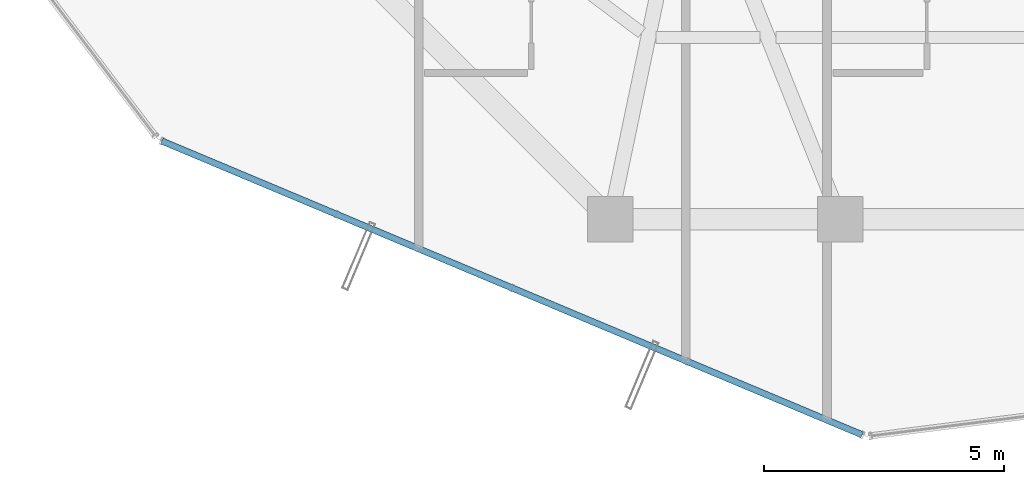
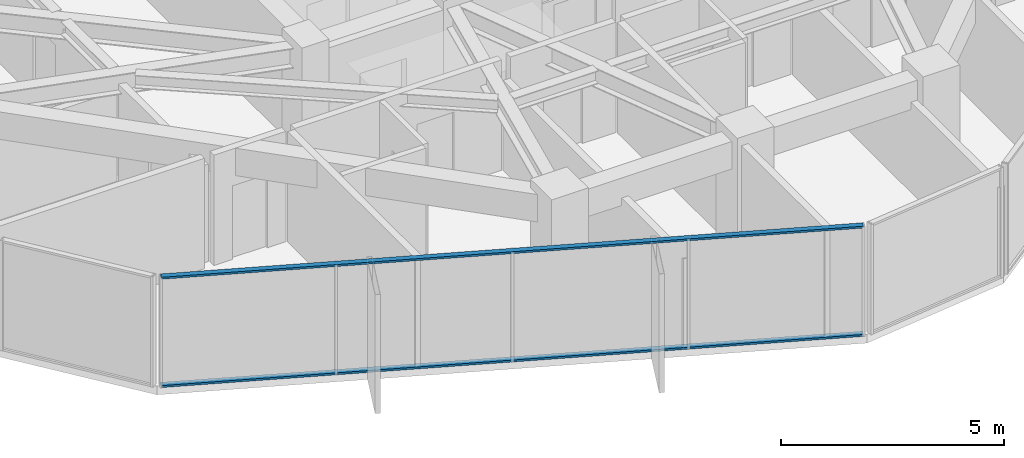
# One storey, part 3 of 32: 2 members, 1 element without a shape of its own.
"""IFC4 building model written with IfcOpenShell, lengths in metres."""

from ifc_helpers import new_model, si_unit, direction, frame, origin, origin_2d, place, context, subcontext, project, spatial, hollow_rectangle, extrude, source, transform, mapped, material, layer, layer_set, material_profile, profile_set, type_object, element, aggregate, save


model = new_model("IFC4")

# Units and contexts
model_context = context("Model", 3, precision=1e-05, world=origin(), true_north=direction((0.0, 1.0)))
body_context = subcontext(model_context, "Body", "Model", "MODEL_VIEW")
ifc_project = project(units=[si_unit("LENGTHUNIT", "METRE"), si_unit("AREAUNIT", "SQUARE_METRE"), si_unit("VOLUMEUNIT", "CUBIC_METRE"), si_unit("PLANEANGLEUNIT", "RADIAN"), si_unit("MASSUNIT", "GRAM", prefix="KILO")], contexts=[model_context])

# Site, building, storey
site_placement = place(None, origin())
site = spatial("IfcSite", under=ifc_project, at=site_placement, CompositionType="ELEMENT")
building_placement = place(site_placement, origin())
building = spatial("IfcBuilding", under=site, at=building_placement, Name="Veraguas Prism Commons", CompositionType="ELEMENT")
storey_placement = place(building_placement, frame((0.0, 0.0, 182.10009765625)))
storey = spatial("IfcBuildingStorey", under=building, at=storey_placement, Name="L51", CompositionType="ELEMENT", Elevation=182.10009765625)

# Curtain wall, members
ifc_material = material(Name="Anodised aluminium EN AW-6063 T6", Category="aluminium")
ifc_layer = layer(ifc_material, 0.14990234375, Name="Unitised Flush Curtain Wall Zone 3", Category="aluminium")
ifc_layer_set = layer_set([ifc_layer], Name="Anodised aluminium EN AW-6063 T6")
curtain_wall_type = type_object("IfcCurtainWallType", Name="Unitised Flush Curtain Wall Zone 3", PredefinedType="NOTDEFINED", material=ifc_layer_set)
curtain_wall_placement = place(storey_placement, origin())
curtain_wall = element("IfcCurtainWall", 1, at=curtain_wall_placement, inside=storey, type_object=curtain_wall_type, Name="Tower Facade Curtain Wall L51-F4", PredefinedType="NOTDEFINED")
ifc_material_profile = material_profile(ifc_material, hollow_rectangle(XDim=0.054931640625, YDim=0.135009765625, WallThickness=0.0029296875, at=origin_2d()), Name="AL55X135X3")
ifc_profile_set = profile_set([ifc_material_profile], Name="Anodised aluminium EN AW-6063 T6")
member_type = type_object("IfcMemberType", Name="Curtain Wall Transom Standard AL 55x135x3", PredefinedType="USERDEFINED", material=ifc_profile_set)
shared_shape = source(origin(), body_context, "Body", "SweptSolid", [
    extrude(hollow_rectangle(XDim=0.054931640625, YDim=0.135009765625, WallThickness=0.0029296875, at=origin_2d()), origin(), (0.0, 0.0, 1.0), 15.842529296875),
])
member_1_placement = place(storey_placement, frame((9.843994140625, 10.7333984375, 0.02734375), z_axis=(0.92213036811, -0.386879288937, 0.0), x_axis=(0.0, 0.0, 1.0)))
member_1 = element("IfcMember", 2, at=member_1_placement, type_object=member_type, Name="CW-Z3 Transom 1", ObjectType="TRANSOM", PredefinedType="USERDEFINED", context=body_context, shape_type="MappedRepresentation", body=[
    mapped(shared_shape, transform((0.0, 0.0, 0.0), scale=1.0)),
])
member_2_placement = place(storey_placement, frame((9.843994140625, 10.7333984375, 2.9873046875), z_axis=(0.92213036811, -0.386879288937, 0.0), x_axis=(0.0, 0.0, 1.0)))
member_2 = element("IfcMember", 3, at=member_2_placement, type_object=member_type, Name="CW-Z3 Transom 2", ObjectType="TRANSOM", PredefinedType="USERDEFINED", context=body_context, shape_type="MappedRepresentation", body=[
    mapped(shared_shape, transform((0.0, 0.0, 0.0), scale=1.0)),
])
aggregate(curtain_wall, [member_1, member_2])

save(model, "model.ifc")
